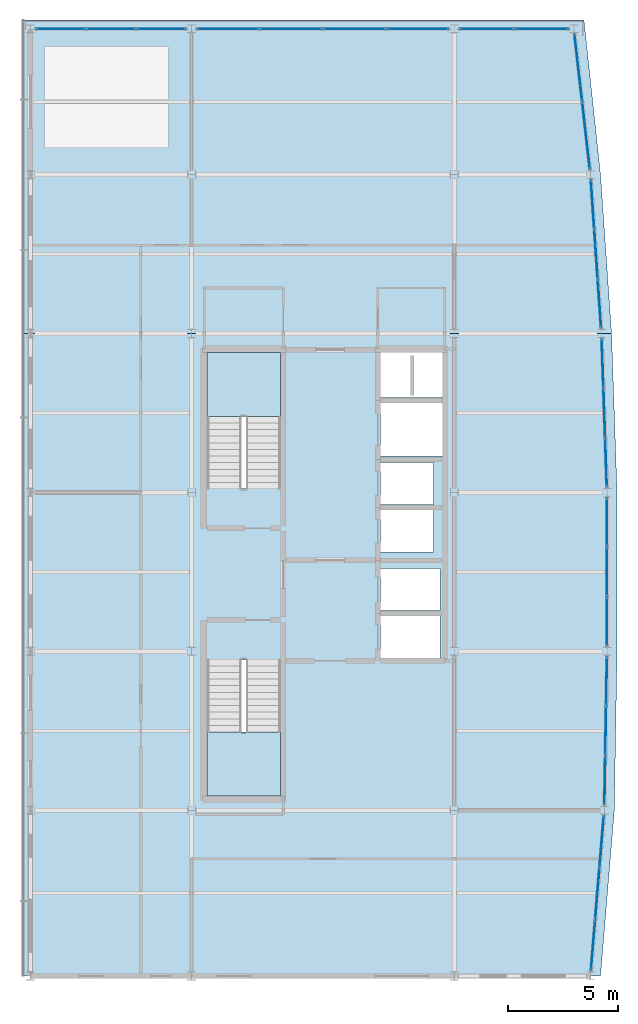
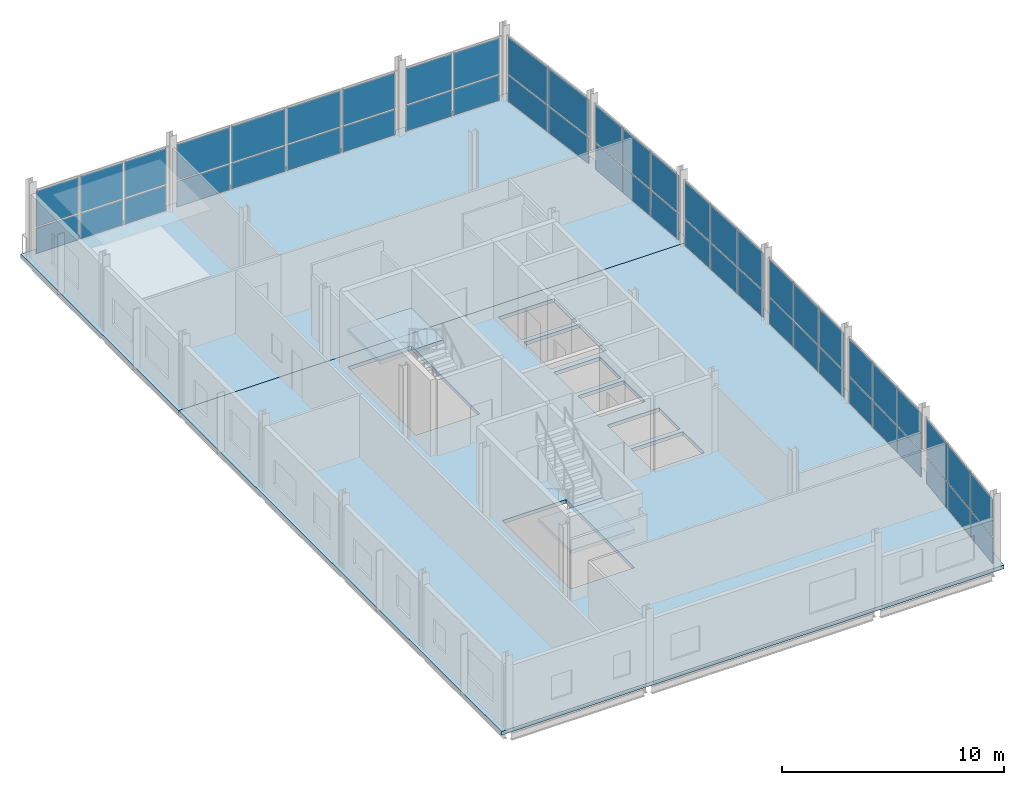
# One storey, part 10 of 16: 52 plates, 4 slabs, 11 elements without a shape of their own.
"""IFC4 building model written with IfcOpenShell, lengths in metres."""

from ifc_helpers import new_model, si_unit, direction, frame, origin, origin_2d, place, context, subcontext, project, spatial, polyline, rectangle, outline, extrude, material, layer, layer_set, type_object, element, aggregate, save


model = new_model("IFC4")

# Units and contexts
model_context = context("Model", 3, precision=1e-05, world=origin(), true_north=direction((0.0, 1.0)))
body_context = subcontext(model_context, "Body", "Model", "MODEL_VIEW")
ifc_project = project(units=[si_unit("LENGTHUNIT", "METRE"), si_unit("AREAUNIT", "SQUARE_METRE"), si_unit("VOLUMEUNIT", "CUBIC_METRE"), si_unit("PLANEANGLEUNIT", "RADIAN"), si_unit("MASSUNIT", "GRAM", prefix="KILO")], contexts=[model_context])

# Site, building, storey
site_placement = place(None, origin())
site = spatial("IfcSite", under=ifc_project, at=site_placement, CompositionType="ELEMENT")
building_placement = place(site_placement, origin())
building = spatial("IfcBuilding", under=site, at=building_placement, Name="Quillay Park Conservatory", CompositionType="ELEMENT")
storey_placement = place(building_placement, frame((0.0, 0.0, 43.5)))
storey = spatial("IfcBuildingStorey", under=building, at=storey_placement, Name="L10", CompositionType="ELEMENT", Elevation=43.5)

# Curtain wall, plates
ifc_material_1 = material(Name="Thermally Broken Anodised Aluminium 6063-T6", Category="aluminium")
ifc_layer_1 = layer(ifc_material_1, 0.179931640625)
ifc_layer_set_1 = layer_set([ifc_layer_1], Name="UNITISED CURTAIN WALL TOWER (Thermally Broken Anodised Aluminium 6063-T6)")
curtain_wall_type = type_object("IfcCurtainWallType", Name="UNITISED CURTAIN WALL TOWER", PredefinedType="USERDEFINED", material=ifc_layer_set_1)
curtain_wall_1_placement = place(storey_placement, origin())
curtain_wall_1 = element("IfcCurtainWall", 1, at=curtain_wall_1_placement, inside=storey, type_object=curtain_wall_type, Name="L10 Unitised Curtain Wall 096", ObjectType="UNITISED CURTAIN WALL", PredefinedType="USERDEFINED")
ifc_material_2 = material(Name="Low-E Double Glazing (Laminated Tempered)", Category="glass")
ifc_layer_2 = layer(ifc_material_2, 0.028076171875)
ifc_layer_set_2 = layer_set([ifc_layer_2], Name="CURTAIN WALL GLAZED PANEL 28 (Low-E Double Glazing (Laminated Tempered))")
plate_type = type_object("IfcPlateType", Name="CURTAIN WALL GLAZED PANEL 28", PredefinedType="CURTAIN_PANEL", material=ifc_layer_set_2)
plate_1_placement = place(storey_placement, frame((26.433349609375, 76.599609375, 0.06982421875), z_axis=(0.0, 0.0, 1.0), x_axis=(-0.083047802572, -0.996545564682, 0.0)))
plate_1 = element("IfcPlate", 2, at=plate_1_placement, type_object=plate_type, Name="CW-T1 panel 1.1", PredefinedType="CURTAIN_PANEL", context=body_context, shape_type="SweptSolid", body=[
    extrude(rectangle(XDim=2.270263671875, YDim=0.028076171875, at=origin_2d()), origin(), (0.0, 0.0, 1.0), 1.439208984375),
])
plate_2_placement = place(storey_placement, frame((26.433349609375, 76.599609375, 1.57958984375), z_axis=(0.0, 0.0, 1.0), x_axis=(-0.083047802572, -0.996545564682, 0.0)))
plate_2 = element("IfcPlate", 3, at=plate_2_placement, type_object=plate_type, Name="CW-T1 panel 1.2", PredefinedType="CURTAIN_PANEL", context=body_context, shape_type="SweptSolid", body=[
    extrude(rectangle(XDim=2.270263671875, YDim=0.028076171875, at=origin_2d()), origin(), (0.0, 0.0, 1.0), 2.027587890625),
])
plate_3_placement = place(storey_placement, frame((26.237548828125, 74.25, 0.06982421875), z_axis=(0.0, 0.0, 1.0), x_axis=(-0.083047802572, -0.996545564682, 0.0)))
plate_3 = element("IfcPlate", 4, at=plate_3_placement, type_object=plate_type, Name="CW-T1 panel 2.1", PredefinedType="CURTAIN_PANEL", context=body_context, shape_type="SweptSolid", body=[
    extrude(rectangle(XDim=2.305419921875, YDim=0.028076171875, at=origin_2d()), origin(), (0.0, 0.0, 1.0), 1.439208984375),
])
plate_4_placement = place(storey_placement, frame((26.237548828125, 74.25, 1.57958984375), z_axis=(0.0, 0.0, 1.0), x_axis=(-0.083047802572, -0.996545564682, 0.0)))
plate_4 = element("IfcPlate", 5, at=plate_4_placement, type_object=plate_type, Name="CW-T1 panel 2.2", PredefinedType="CURTAIN_PANEL", context=body_context, shape_type="SweptSolid", body=[
    extrude(rectangle(XDim=2.305419921875, YDim=0.028076171875, at=origin_2d()), origin(), (0.0, 0.0, 1.0), 2.027587890625),
])
plate_5_placement = place(storey_placement, frame((26.041748046875, 71.900390625, 0.06982421875), z_axis=(0.0, 0.0, 1.0), x_axis=(-0.083047802572, -0.996545564682, 0.0)))
plate_5 = element("IfcPlate", 6, at=plate_5_placement, type_object=plate_type, Name="CW-T1 panel 3.1", PredefinedType="CURTAIN_PANEL", context=body_context, shape_type="SweptSolid", body=[
    extrude(rectangle(XDim=2.270263671875, YDim=0.028076171875, at=origin_2d()), origin(), (0.0, 0.0, 1.0), 1.439208984375),
])
plate_6_placement = place(storey_placement, frame((26.041748046875, 71.900390625, 1.57958984375), z_axis=(0.0, 0.0, 1.0), x_axis=(-0.083047802572, -0.996545564682, 0.0)))
plate_6 = element("IfcPlate", 7, at=plate_6_placement, type_object=plate_type, Name="CW-T1 panel 3.2", PredefinedType="CURTAIN_PANEL", context=body_context, shape_type="SweptSolid", body=[
    extrude(rectangle(XDim=2.270263671875, YDim=0.028076171875, at=origin_2d()), origin(), (0.0, 0.0, 1.0), 2.027587890625),
])
aggregate(curtain_wall_1, [plate_1, plate_2, plate_3, plate_4, plate_5, plate_6])

curtain_wall_2_placement = place(storey_placement, origin())
curtain_wall_2 = element("IfcCurtainWall", 8, at=curtain_wall_2_placement, inside=storey, type_object=curtain_wall_type, Name="L10 Unitised Curtain Wall 097", ObjectType="UNITISED CURTAIN WALL", PredefinedType="USERDEFINED")
plate_7_placement = place(storey_placement, frame((26.651611328125, 83.84912109375, 0.06982421875), z_axis=(0.0, 0.0, 1.0), x_axis=(-0.017350329071, -0.999849471711, 0.0)))
plate_7 = element("IfcPlate", 9, at=plate_7_placement, type_object=plate_type, Name="CW-T1 panel 1.1", PredefinedType="CURTAIN_PANEL", context=body_context, shape_type="SweptSolid", body=[
    extrude(rectangle(XDim=2.162109375, YDim=0.028076171875, at=origin_2d()), origin(), (0.0, 0.0, 1.0), 1.439208984375),
])
plate_8_placement = place(storey_placement, frame((26.651611328125, 83.84912109375, 1.57958984375), z_axis=(0.0, 0.0, 1.0), x_axis=(-0.017350329071, -0.999849471711, 0.0)))
plate_8 = element("IfcPlate", 10, at=plate_8_placement, type_object=plate_type, Name="CW-T1 panel 1.2", PredefinedType="CURTAIN_PANEL", context=body_context, shape_type="SweptSolid", body=[
    extrude(rectangle(XDim=2.162109375, YDim=0.028076171875, at=origin_2d()), origin(), (0.0, 0.0, 1.0), 2.027587890625),
])
plate_9_placement = place(storey_placement, frame((26.612548828125, 81.60009765625, 0.06982421875), z_axis=(0.0, 0.0, 1.0), x_axis=(-0.017350329071, -0.999849471711, 0.0)))
plate_9 = element("IfcPlate", 11, at=plate_9_placement, type_object=plate_type, Name="CW-T1 panel 2.1", PredefinedType="CURTAIN_PANEL", context=body_context, shape_type="SweptSolid", body=[
    extrude(rectangle(XDim=2.197021484375, YDim=0.028076171875, at=origin_2d()), origin(), (0.0, 0.0, 1.0), 1.439208984375),
])
plate_10_placement = place(storey_placement, frame((26.612548828125, 81.60009765625, 1.57958984375), z_axis=(0.0, 0.0, 1.0), x_axis=(-0.017350329071, -0.999849471711, 0.0)))
plate_10 = element("IfcPlate", 12, at=plate_10_placement, type_object=plate_type, Name="CW-T1 panel 2.2", PredefinedType="CURTAIN_PANEL", context=body_context, shape_type="SweptSolid", body=[
    extrude(rectangle(XDim=2.197021484375, YDim=0.028076171875, at=origin_2d()), origin(), (0.0, 0.0, 1.0), 2.027587890625),
])
plate_11_placement = place(storey_placement, frame((26.573486328125, 79.350830078125, 0.06982421875), z_axis=(0.0, 0.0, 1.0), x_axis=(-0.017350329071, -0.999849471711, 0.0)))
plate_11 = element("IfcPlate", 13, at=plate_11_placement, type_object=plate_type, Name="CW-T1 panel 3.1", PredefinedType="CURTAIN_PANEL", context=body_context, shape_type="SweptSolid", body=[
    extrude(rectangle(XDim=2.162109375, YDim=0.028076171875, at=origin_2d()), origin(), (0.0, 0.0, 1.0), 1.439208984375),
])
plate_12_placement = place(storey_placement, frame((26.573486328125, 79.350830078125, 1.57958984375), z_axis=(0.0, 0.0, 1.0), x_axis=(-0.017350329071, -0.999849471711, 0.0)))
plate_12 = element("IfcPlate", 14, at=plate_12_placement, type_object=plate_type, Name="CW-T1 panel 3.2", PredefinedType="CURTAIN_PANEL", context=body_context, shape_type="SweptSolid", body=[
    extrude(rectangle(XDim=2.162109375, YDim=0.028076171875, at=origin_2d()), origin(), (0.0, 0.0, 1.0), 2.027587890625),
])
aggregate(curtain_wall_2, [plate_7, plate_8, plate_9, plate_10, plate_11, plate_12])

curtain_wall_3_placement = place(storey_placement, origin())
curtain_wall_3 = element("IfcCurtainWall", 15, at=curtain_wall_3_placement, inside=storey, type_object=curtain_wall_type, Name="L10 Unitised Curtain Wall 098", ObjectType="UNITISED CURTAIN WALL", PredefinedType="USERDEFINED")
plate_13_placement = place(storey_placement, frame((26.675048828125, 91.049072265625, 0.06982421875), z_axis=(0.0, 0.0, 1.0), x_axis=(0.0, -1.0, 0.0)))
plate_13 = element("IfcPlate", 16, at=plate_13_placement, type_object=plate_type, Name="CW-T1 panel 1.1", PredefinedType="CURTAIN_PANEL", context=body_context, shape_type="SweptSolid", body=[
    extrude(rectangle(XDim=2.16162109375, YDim=0.028076171875, at=origin_2d()), origin(), (0.0, 0.0, 1.0), 1.439208984375),
])
plate_14_placement = place(storey_placement, frame((26.675048828125, 91.049072265625, 1.57958984375), z_axis=(0.0, 0.0, 1.0), x_axis=(0.0, -1.0, 0.0)))
plate_14 = element("IfcPlate", 17, at=plate_14_placement, type_object=plate_type, Name="CW-T1 panel 1.2", PredefinedType="CURTAIN_PANEL", context=body_context, shape_type="SweptSolid", body=[
    extrude(rectangle(XDim=2.16162109375, YDim=0.028076171875, at=origin_2d()), origin(), (0.0, 0.0, 1.0), 2.027587890625),
])
plate_15_placement = place(storey_placement, frame((26.675048828125, 88.800048828125, 0.06982421875), z_axis=(0.0, 0.0, 1.0), x_axis=(0.0, -1.0, 0.0)))
plate_15 = element("IfcPlate", 18, at=plate_15_placement, type_object=plate_type, Name="CW-T1 panel 2.1", PredefinedType="CURTAIN_PANEL", context=body_context, shape_type="SweptSolid", body=[
    extrude(rectangle(XDim=2.19677734375, YDim=0.028076171875, at=origin_2d()), origin(), (0.0, 0.0, 1.0), 1.439208984375),
])
plate_16_placement = place(storey_placement, frame((26.675048828125, 88.800048828125, 1.57958984375), z_axis=(0.0, 0.0, 1.0), x_axis=(0.0, -1.0, 0.0)))
plate_16 = element("IfcPlate", 19, at=plate_16_placement, type_object=plate_type, Name="CW-T1 panel 2.2", PredefinedType="CURTAIN_PANEL", context=body_context, shape_type="SweptSolid", body=[
    extrude(rectangle(XDim=2.19677734375, YDim=0.028076171875, at=origin_2d()), origin(), (0.0, 0.0, 1.0), 2.027587890625),
])
plate_17_placement = place(storey_placement, frame((26.675048828125, 86.55078125, 0.06982421875), z_axis=(0.0, 0.0, 1.0), x_axis=(0.0, -1.0, 0.0)))
plate_17 = element("IfcPlate", 20, at=plate_17_placement, type_object=plate_type, Name="CW-T1 panel 3.1", PredefinedType="CURTAIN_PANEL", context=body_context, shape_type="SweptSolid", body=[
    extrude(rectangle(XDim=2.16162109375, YDim=0.028076171875, at=origin_2d()), origin(), (0.0, 0.0, 1.0), 1.439208984375),
])
plate_18_placement = place(storey_placement, frame((26.675048828125, 86.55078125, 1.57958984375), z_axis=(0.0, 0.0, 1.0), x_axis=(0.0, -1.0, 0.0)))
plate_18 = element("IfcPlate", 21, at=plate_18_placement, type_object=plate_type, Name="CW-T1 panel 3.2", PredefinedType="CURTAIN_PANEL", context=body_context, shape_type="SweptSolid", body=[
    extrude(rectangle(XDim=2.16162109375, YDim=0.028076171875, at=origin_2d()), origin(), (0.0, 0.0, 1.0), 2.027587890625),
])
aggregate(curtain_wall_3, [plate_13, plate_14, plate_15, plate_16, plate_17, plate_18])

curtain_wall_4_placement = place(storey_placement, origin())
curtain_wall_4 = element("IfcCurtainWall", 22, at=curtain_wall_4_placement, inside=storey, type_object=curtain_wall_type, Name="L10 Unitised Curtain Wall 099", ObjectType="UNITISED CURTAIN WALL", PredefinedType="USERDEFINED")
plate_19_placement = place(storey_placement, frame((26.471923828125, 98.249267578125, 0.06982421875), z_axis=(0.0, 0.0, 1.0), x_axis=(0.034713338537, -0.999397310446, 0.0)))
plate_19 = element("IfcPlate", 23, at=plate_19_placement, type_object=plate_type, Name="CW-T1 panel 1.1", PredefinedType="CURTAIN_PANEL", context=body_context, shape_type="SweptSolid", body=[
    extrude(rectangle(XDim=2.1630859375, YDim=0.028076171875, at=origin_2d()), origin(), (0.0, 0.0, 1.0), 1.439208984375),
])
plate_20_placement = place(storey_placement, frame((26.471923828125, 98.249267578125, 1.57958984375), z_axis=(0.0, 0.0, 1.0), x_axis=(0.034713338537, -0.999397310446, 0.0)))
plate_20 = element("IfcPlate", 24, at=plate_20_placement, type_object=plate_type, Name="CW-T1 panel 1.2", PredefinedType="CURTAIN_PANEL", context=body_context, shape_type="SweptSolid", body=[
    extrude(rectangle(XDim=2.1630859375, YDim=0.028076171875, at=origin_2d()), origin(), (0.0, 0.0, 1.0), 2.027587890625),
])
plate_21_placement = place(storey_placement, frame((26.550048828125, 96.0, 0.06982421875), z_axis=(0.0, 0.0, 1.0), x_axis=(0.034713338537, -0.999397310446, 0.0)))
plate_21 = element("IfcPlate", 25, at=plate_21_placement, type_object=plate_type, Name="CW-T1 panel 2.1", PredefinedType="CURTAIN_PANEL", context=body_context, shape_type="SweptSolid", body=[
    extrude(rectangle(XDim=2.197998046875, YDim=0.028076171875, at=origin_2d()), origin(), (0.0, 0.0, 1.0), 1.439208984375),
])
plate_22_placement = place(storey_placement, frame((26.550048828125, 96.0, 1.57958984375), z_axis=(0.0, 0.0, 1.0), x_axis=(0.034713338537, -0.999397310446, 0.0)))
plate_22 = element("IfcPlate", 26, at=plate_22_placement, type_object=plate_type, Name="CW-T1 panel 2.2", PredefinedType="CURTAIN_PANEL", context=body_context, shape_type="SweptSolid", body=[
    extrude(rectangle(XDim=2.197998046875, YDim=0.028076171875, at=origin_2d()), origin(), (0.0, 0.0, 1.0), 2.027587890625),
])
plate_23_placement = place(storey_placement, frame((26.628173828125, 93.750732421875, 0.06982421875), z_axis=(0.0, 0.0, 1.0), x_axis=(0.034713338537, -0.999397310446, 0.0)))
plate_23 = element("IfcPlate", 27, at=plate_23_placement, type_object=plate_type, Name="CW-T1 panel 3.1", PredefinedType="CURTAIN_PANEL", context=body_context, shape_type="SweptSolid", body=[
    extrude(rectangle(XDim=2.1630859375, YDim=0.028076171875, at=origin_2d()), origin(), (0.0, 0.0, 1.0), 1.439208984375),
])
plate_24_placement = place(storey_placement, frame((26.628173828125, 93.750732421875, 1.57958984375), z_axis=(0.0, 0.0, 1.0), x_axis=(0.034713338537, -0.999397310446, 0.0)))
plate_24 = element("IfcPlate", 28, at=plate_24_placement, type_object=plate_type, Name="CW-T1 panel 3.2", PredefinedType="CURTAIN_PANEL", context=body_context, shape_type="SweptSolid", body=[
    extrude(rectangle(XDim=2.1630859375, YDim=0.028076171875, at=origin_2d()), origin(), (0.0, 0.0, 1.0), 2.027587890625),
])
aggregate(curtain_wall_4, [plate_19, plate_20, plate_21, plate_22, plate_23, plate_24])

curtain_wall_5_placement = place(storey_placement, origin())
curtain_wall_5 = element("IfcCurtainWall", 29, at=curtain_wall_5_placement, inside=storey, type_object=curtain_wall_type, Name="L10 Unitised Curtain Wall 100", ObjectType="UNITISED CURTAIN WALL", PredefinedType="USERDEFINED")
plate_25_placement = place(storey_placement, frame((26.018798828125, 105.449462890625, 0.06982421875), z_axis=(0.0, 0.0, 1.0), x_axis=(0.069264217159, -0.99759835015, 0.0)))
plate_25 = element("IfcPlate", 30, at=plate_25_placement, type_object=plate_type, Name="CW-T1 panel 1.1", PredefinedType="CURTAIN_PANEL", context=body_context, shape_type="SweptSolid", body=[
    extrude(rectangle(XDim=2.16748046875, YDim=0.028076171875, at=origin_2d()), origin(), (0.0, 0.0, 1.0), 1.439208984375),
])
plate_26_placement = place(storey_placement, frame((26.018798828125, 105.449462890625, 1.57958984375), z_axis=(0.0, 0.0, 1.0), x_axis=(0.069264217159, -0.99759835015, 0.0)))
plate_26 = element("IfcPlate", 31, at=plate_26_placement, type_object=plate_type, Name="CW-T1 panel 1.2", PredefinedType="CURTAIN_PANEL", context=body_context, shape_type="SweptSolid", body=[
    extrude(rectangle(XDim=2.16748046875, YDim=0.028076171875, at=origin_2d()), origin(), (0.0, 0.0, 1.0), 2.027587890625),
])
plate_27_placement = place(storey_placement, frame((26.175048828125, 103.199951171875, 0.06982421875), z_axis=(0.0, 0.0, 1.0), x_axis=(0.069264217159, -0.99759835015, 0.0)))
plate_27 = element("IfcPlate", 32, at=plate_27_placement, type_object=plate_type, Name="CW-T1 panel 2.1", PredefinedType="CURTAIN_PANEL", context=body_context, shape_type="SweptSolid", body=[
    extrude(rectangle(XDim=2.202392578125, YDim=0.028076171875, at=origin_2d()), origin(), (0.0, 0.0, 1.0), 1.439208984375),
])
plate_28_placement = place(storey_placement, frame((26.175048828125, 103.199951171875, 1.57958984375), z_axis=(0.0, 0.0, 1.0), x_axis=(0.069264217159, -0.99759835015, 0.0)))
plate_28 = element("IfcPlate", 33, at=plate_28_placement, type_object=plate_type, Name="CW-T1 panel 2.2", PredefinedType="CURTAIN_PANEL", context=body_context, shape_type="SweptSolid", body=[
    extrude(rectangle(XDim=2.202392578125, YDim=0.028076171875, at=origin_2d()), origin(), (0.0, 0.0, 1.0), 2.027587890625),
])
plate_29_placement = place(storey_placement, frame((26.331298828125, 100.950439453125, 0.06982421875), z_axis=(0.0, 0.0, 1.0), x_axis=(0.069264217159, -0.99759835015, 0.0)))
plate_29 = element("IfcPlate", 34, at=plate_29_placement, type_object=plate_type, Name="CW-T1 panel 3.1", PredefinedType="CURTAIN_PANEL", context=body_context, shape_type="SweptSolid", body=[
    extrude(rectangle(XDim=2.16748046875, YDim=0.028076171875, at=origin_2d()), origin(), (0.0, 0.0, 1.0), 1.439208984375),
])
plate_30_placement = place(storey_placement, frame((26.331298828125, 100.950439453125, 1.57958984375), z_axis=(0.0, 0.0, 1.0), x_axis=(0.069264217159, -0.99759835015, 0.0)))
plate_30 = element("IfcPlate", 35, at=plate_30_placement, type_object=plate_type, Name="CW-T1 panel 3.2", PredefinedType="CURTAIN_PANEL", context=body_context, shape_type="SweptSolid", body=[
    extrude(rectangle(XDim=2.16748046875, YDim=0.028076171875, at=origin_2d()), origin(), (0.0, 0.0, 1.0), 2.027587890625),
])
aggregate(curtain_wall_5, [plate_25, plate_26, plate_27, plate_28, plate_29, plate_30])

curtain_wall_6_placement = place(storey_placement, origin())
curtain_wall_6 = element("IfcCurtainWall", 36, at=curtain_wall_6_placement, inside=storey, type_object=curtain_wall_type, Name="L10 Unitised Curtain Wall 101", ObjectType="UNITISED CURTAIN WALL", PredefinedType="USERDEFINED")
plate_31_placement = place(storey_placement, frame((25.375732421875, 111.63330078125, 0.06982421875), z_axis=(0.0, 0.0, 1.0), x_axis=(0.112903218278, -0.993605989969, 0.0)))
plate_31 = element("IfcPlate", 37, at=plate_31_placement, type_object=plate_type, Name="CW-T1 panel 1.1", PredefinedType="CURTAIN_PANEL", context=body_context, shape_type="SweptSolid", body=[
    extrude(rectangle(XDim=3.016357421875, YDim=0.028076171875, at=origin_2d()), origin(), (0.0, 0.0, 1.0), 1.439208984375),
])
plate_32_placement = place(storey_placement, frame((25.375732421875, 111.63330078125, 1.57958984375), z_axis=(0.0, 0.0, 1.0), x_axis=(0.112903218278, -0.993605989969, 0.0)))
plate_32 = element("IfcPlate", 38, at=plate_32_placement, type_object=plate_type, Name="CW-T1 panel 1.2", PredefinedType="CURTAIN_PANEL", context=body_context, shape_type="SweptSolid", body=[
    extrude(rectangle(XDim=3.016357421875, YDim=0.028076171875, at=origin_2d()), origin(), (0.0, 0.0, 1.0), 2.027587890625),
])
plate_33_placement = place(storey_placement, frame((25.72412109375, 108.566650390625, 0.06982421875), z_axis=(0.0, 0.0, 1.0), x_axis=(0.112903218278, -0.993605989969, 0.0)))
plate_33 = element("IfcPlate", 39, at=plate_33_placement, type_object=plate_type, Name="CW-T1 panel 2.1", PredefinedType="CURTAIN_PANEL", context=body_context, shape_type="SweptSolid", body=[
    extrude(rectangle(XDim=3.016357421875, YDim=0.028076171875, at=origin_2d()), origin(), (0.0, 0.0, 1.0), 1.439208984375),
])
plate_34_placement = place(storey_placement, frame((25.72412109375, 108.566650390625, 1.57958984375), z_axis=(0.0, 0.0, 1.0), x_axis=(0.112903218278, -0.993605989969, 0.0)))
plate_34 = element("IfcPlate", 40, at=plate_34_placement, type_object=plate_type, Name="CW-T1 panel 2.2", PredefinedType="CURTAIN_PANEL", context=body_context, shape_type="SweptSolid", body=[
    extrude(rectangle(XDim=3.016357421875, YDim=0.028076171875, at=origin_2d()), origin(), (0.0, 0.0, 1.0), 2.027587890625),
])
aggregate(curtain_wall_6, [plate_31, plate_32, plate_33, plate_34])

curtain_wall_7_placement = place(storey_placement, origin())
curtain_wall_7 = element("IfcCurtainWall", 41, at=curtain_wall_7_placement, inside=storey, type_object=curtain_wall_type, Name="L10 Unitised Curtain Wall 102", ObjectType="UNITISED CURTAIN WALL", PredefinedType="USERDEFINED")
plate_35_placement = place(storey_placement, frame((1.91748046875, 113.39990234375, 0.06982421875), z_axis=(0.0, 0.0, 1.0), x_axis=(1.0, 0.0, 0.0)))
plate_35 = element("IfcPlate", 42, at=plate_35_placement, type_object=plate_type, Name="CW-T1 panel 1.1", PredefinedType="CURTAIN_PANEL", context=body_context, shape_type="SweptSolid", body=[
    extrude(rectangle(XDim=2.195068359375, YDim=0.028076171875, at=origin_2d()), origin(), (0.0, 0.0, 1.0), 1.391845703125),
])
plate_36_placement = place(storey_placement, frame((1.91748046875, 113.39990234375, 1.53173828125), z_axis=(0.0, 0.0, 1.0), x_axis=(1.0, 0.0, 0.0)))
plate_36 = element("IfcPlate", 43, at=plate_36_placement, type_object=plate_type, Name="CW-T1 panel 1.2", PredefinedType="CURTAIN_PANEL", context=body_context, shape_type="SweptSolid", body=[
    extrude(rectangle(XDim=2.195068359375, YDim=0.028076171875, at=origin_2d()), origin(), (0.0, 0.0, 1.0), 1.962158203125),
])
plate_37_placement = place(storey_placement, frame((4.199951171875, 113.39990234375, 0.06982421875), z_axis=(0.0, 0.0, 1.0), x_axis=(1.0, 0.0, 0.0)))
plate_37 = element("IfcPlate", 44, at=plate_37_placement, type_object=plate_type, Name="CW-T1 panel 2.1", PredefinedType="CURTAIN_PANEL", context=body_context, shape_type="SweptSolid", body=[
    extrude(rectangle(XDim=2.22998046875, YDim=0.028076171875, at=origin_2d()), origin(), (0.0, 0.0, 1.0), 1.391845703125),
])
plate_38_placement = place(storey_placement, frame((4.199951171875, 113.39990234375, 1.53173828125), z_axis=(0.0, 0.0, 1.0), x_axis=(1.0, 0.0, 0.0)))
plate_38 = element("IfcPlate", 45, at=plate_38_placement, type_object=plate_type, Name="CW-T1 panel 2.2", PredefinedType="CURTAIN_PANEL", context=body_context, shape_type="SweptSolid", body=[
    extrude(rectangle(XDim=2.22998046875, YDim=0.028076171875, at=origin_2d()), origin(), (0.0, 0.0, 1.0), 1.962158203125),
])
plate_39_placement = place(storey_placement, frame((6.482421875, 113.39990234375, 0.06982421875), z_axis=(0.0, 0.0, 1.0), x_axis=(1.0, 0.0, 0.0)))
plate_39 = element("IfcPlate", 46, at=plate_39_placement, type_object=plate_type, Name="CW-T1 panel 3.1", PredefinedType="CURTAIN_PANEL", context=body_context, shape_type="SweptSolid", body=[
    extrude(rectangle(XDim=2.195068359375, YDim=0.028076171875, at=origin_2d()), origin(), (0.0, 0.0, 1.0), 1.391845703125),
])
plate_40_placement = place(storey_placement, frame((6.482421875, 113.39990234375, 1.53173828125), z_axis=(0.0, 0.0, 1.0), x_axis=(1.0, 0.0, 0.0)))
plate_40 = element("IfcPlate", 47, at=plate_40_placement, type_object=plate_type, Name="CW-T1 panel 3.2", PredefinedType="CURTAIN_PANEL", context=body_context, shape_type="SweptSolid", body=[
    extrude(rectangle(XDim=2.195068359375, YDim=0.028076171875, at=origin_2d()), origin(), (0.0, 0.0, 1.0), 1.962158203125),
])
aggregate(curtain_wall_7, [plate_35, plate_36, plate_37, plate_38, plate_39, plate_40])

curtain_wall_8_placement = place(storey_placement, origin())
curtain_wall_8 = element("IfcCurtainWall", 48, at=curtain_wall_8_placement, inside=storey, type_object=curtain_wall_type, Name="L10 Unitised Curtain Wall 103", ObjectType="UNITISED CURTAIN WALL", PredefinedType="USERDEFINED")
plate_41_placement = place(storey_placement, frame((9.5048828125, 113.39990234375, 0.06982421875), z_axis=(0.0, 0.0, 1.0), x_axis=(1.0, 0.0, 0.0)))
plate_41 = element("IfcPlate", 49, at=plate_41_placement, type_object=plate_type, Name="CW-T1 panel 1.1", PredefinedType="CURTAIN_PANEL", context=body_context, shape_type="SweptSolid", body=[
    extrude(rectangle(XDim=2.77001953125, YDim=0.028076171875, at=origin_2d()), origin(), (0.0, 0.0, 1.0), 1.391845703125),
])
plate_42_placement = place(storey_placement, frame((9.5048828125, 113.39990234375, 1.53173828125), z_axis=(0.0, 0.0, 1.0), x_axis=(1.0, 0.0, 0.0)))
plate_42 = element("IfcPlate", 50, at=plate_42_placement, type_object=plate_type, Name="CW-T1 panel 1.2", PredefinedType="CURTAIN_PANEL", context=body_context, shape_type="SweptSolid", body=[
    extrude(rectangle(XDim=2.77001953125, YDim=0.028076171875, at=origin_2d()), origin(), (0.0, 0.0, 1.0), 1.962158203125),
])
plate_43_placement = place(storey_placement, frame((12.362548828125, 113.39990234375, 0.06982421875), z_axis=(0.0, 0.0, 1.0), x_axis=(1.0, 0.0, 0.0)))
plate_43 = element("IfcPlate", 51, at=plate_43_placement, type_object=plate_type, Name="CW-T1 panel 2.1", PredefinedType="CURTAIN_PANEL", context=body_context, shape_type="SweptSolid", body=[
    extrude(rectangle(XDim=2.804931640625, YDim=0.028076171875, at=origin_2d()), origin(), (0.0, 0.0, 1.0), 1.391845703125),
])
plate_44_placement = place(storey_placement, frame((12.362548828125, 113.39990234375, 1.53173828125), z_axis=(0.0, 0.0, 1.0), x_axis=(1.0, 0.0, 0.0)))
plate_44 = element("IfcPlate", 52, at=plate_44_placement, type_object=plate_type, Name="CW-T1 panel 2.2", PredefinedType="CURTAIN_PANEL", context=body_context, shape_type="SweptSolid", body=[
    extrude(rectangle(XDim=2.804931640625, YDim=0.028076171875, at=origin_2d()), origin(), (0.0, 0.0, 1.0), 1.962158203125),
])
plate_45_placement = place(storey_placement, frame((15.237548828125, 113.39990234375, 0.06982421875), z_axis=(0.0, 0.0, 1.0), x_axis=(1.0, 0.0, 0.0)))
plate_45 = element("IfcPlate", 53, at=plate_45_placement, type_object=plate_type, Name="CW-T1 panel 3.1", PredefinedType="CURTAIN_PANEL", context=body_context, shape_type="SweptSolid", body=[
    extrude(rectangle(XDim=2.804931640625, YDim=0.028076171875, at=origin_2d()), origin(), (0.0, 0.0, 1.0), 1.391845703125),
])
plate_46_placement = place(storey_placement, frame((15.237548828125, 113.39990234375, 1.53173828125), z_axis=(0.0, 0.0, 1.0), x_axis=(1.0, 0.0, 0.0)))
plate_46 = element("IfcPlate", 54, at=plate_46_placement, type_object=plate_type, Name="CW-T1 panel 3.2", PredefinedType="CURTAIN_PANEL", context=body_context, shape_type="SweptSolid", body=[
    extrude(rectangle(XDim=2.804931640625, YDim=0.028076171875, at=origin_2d()), origin(), (0.0, 0.0, 1.0), 1.962158203125),
])
plate_47_placement = place(storey_placement, frame((18.094970703125, 113.39990234375, 0.06982421875), z_axis=(0.0, 0.0, 1.0), x_axis=(1.0, 0.0, 0.0)))
plate_47 = element("IfcPlate", 55, at=plate_47_placement, type_object=plate_type, Name="CW-T1 panel 4.1", PredefinedType="CURTAIN_PANEL", context=body_context, shape_type="SweptSolid", body=[
    extrude(rectangle(XDim=2.77001953125, YDim=0.028076171875, at=origin_2d()), origin(), (0.0, 0.0, 1.0), 1.391845703125),
])
plate_48_placement = place(storey_placement, frame((18.094970703125, 113.39990234375, 1.53173828125), z_axis=(0.0, 0.0, 1.0), x_axis=(1.0, 0.0, 0.0)))
plate_48 = element("IfcPlate", 56, at=plate_48_placement, type_object=plate_type, Name="CW-T1 panel 4.2", PredefinedType="CURTAIN_PANEL", context=body_context, shape_type="SweptSolid", body=[
    extrude(rectangle(XDim=2.77001953125, YDim=0.028076171875, at=origin_2d()), origin(), (0.0, 0.0, 1.0), 1.962158203125),
])
aggregate(curtain_wall_8, [plate_41, plate_42, plate_43, plate_44, plate_45, plate_46, plate_47, plate_48])

curtain_wall_9_placement = place(storey_placement, origin())
curtain_wall_9 = element("IfcCurtainWall", 57, at=curtain_wall_9_placement, inside=storey, type_object=curtain_wall_type, Name="L10 Unitised Curtain Wall 104", ObjectType="UNITISED CURTAIN WALL", PredefinedType="USERDEFINED")
plate_49_placement = place(storey_placement, frame((21.2236328125, 113.39990234375, 0.06982421875), z_axis=(0.0, 0.0, 1.0), x_axis=(1.0, 0.0, 0.0)))
plate_49 = element("IfcPlate", 58, at=plate_49_placement, type_object=plate_type, Name="CW-T1 panel 1.1", PredefinedType="CURTAIN_PANEL", context=body_context, shape_type="SweptSolid", body=[
    extrude(rectangle(XDim=2.407470703125, YDim=0.028076171875, at=origin_2d()), origin(), (0.0, 0.0, 1.0), 1.391845703125),
])
plate_50_placement = place(storey_placement, frame((21.2236328125, 113.39990234375, 1.53173828125), z_axis=(0.0, 0.0, 1.0), x_axis=(1.0, 0.0, 0.0)))
plate_50 = element("IfcPlate", 59, at=plate_50_placement, type_object=plate_type, Name="CW-T1 panel 1.2", PredefinedType="CURTAIN_PANEL", context=body_context, shape_type="SweptSolid", body=[
    extrude(rectangle(XDim=2.407470703125, YDim=0.028076171875, at=origin_2d()), origin(), (0.0, 0.0, 1.0), 1.962158203125),
])
plate_51_placement = place(storey_placement, frame((23.701171875, 113.39990234375, 0.06982421875), z_axis=(0.0, 0.0, 1.0), x_axis=(1.0, 0.0, 0.0)))
plate_51 = element("IfcPlate", 60, at=plate_51_placement, type_object=plate_type, Name="CW-T1 panel 2.1", PredefinedType="CURTAIN_PANEL", context=body_context, shape_type="SweptSolid", body=[
    extrude(rectangle(XDim=2.407470703125, YDim=0.028076171875, at=origin_2d()), origin(), (0.0, 0.0, 1.0), 1.391845703125),
])
plate_52_placement = place(storey_placement, frame((23.701171875, 113.39990234375, 1.53173828125), z_axis=(0.0, 0.0, 1.0), x_axis=(1.0, 0.0, 0.0)))
plate_52 = element("IfcPlate", 61, at=plate_52_placement, type_object=plate_type, Name="CW-T1 panel 2.2", PredefinedType="CURTAIN_PANEL", context=body_context, shape_type="SweptSolid", body=[
    extrude(rectangle(XDim=2.407470703125, YDim=0.028076171875, at=origin_2d()), origin(), (0.0, 0.0, 1.0), 1.962158203125),
])
aggregate(curtain_wall_9, [plate_49, plate_50, plate_51, plate_52])

# Stair, slab
ifc_material_3 = material(Name="Concrete C35/45 (NCh170 Concrete C35/45)", Category="concrete")
stair_type = type_object("IfcStairType", Name="ENCLOSED DOG LEG STAIR 4200", PredefinedType="HALF_TURN_STAIR", material=ifc_material_3)
stair_1_placement = place(storey_placement, origin())
stair_1 = element("IfcStair", 62, at=stair_1_placement, inside=storey, type_object=stair_type, Name="L10 Tower Protected Exit Stair 1", PredefinedType="HALF_TURN_STAIR")
ifc_material_4 = material(Name="Concrete C35/45 (NCh170 Concrete C35/45)", Category="concrete")
ifc_layer_3 = layer(ifc_material_4, 0.199951171875)
ifc_layer_set_3 = layer_set([ifc_layer_3], Name="STAIR LANDING SLAB 200 (Concrete C35/45 (NCh170 Concrete C35/45))")
slab_type_1 = type_object("IfcSlabType", Name="STAIR LANDING SLAB 200", PredefinedType="LANDING", material=ifc_layer_set_3)
slab_1_placement = place(storey_placement, frame((0.0, 0.0, 1.89990234375)))
slab_1 = element("IfcSlab", 63, at=slab_1_placement, type_object=slab_type_1, Name="ST-T1 landing 1", PredefinedType="LANDING", context=body_context, shape_type="SweptSolid", body=[
    extrude(outline(polyline([(11.8701171875, 95.85009765625), (11.8701171875, 98.75), (8.550048828125, 98.75), (8.550048828125, 95.85009765625), (11.8701171875, 95.85009765625)])), origin(), (0.0, 0.0, 1.0), 0.2001953125),
])
aggregate(stair_1, [slab_1])

stair_2_placement = place(storey_placement, origin())
stair_2 = element("IfcStair", 64, at=stair_2_placement, inside=storey, type_object=stair_type, Name="L10 Tower Protected Exit Stair 2", PredefinedType="HALF_TURN_STAIR")
slab_2_placement = place(storey_placement, frame((0.0, 0.0, 1.89990234375)))
slab_2 = element("IfcSlab", 65, at=slab_2_placement, type_object=slab_type_1, Name="ST-T2 landing 1", PredefinedType="LANDING", context=body_context, shape_type="SweptSolid", body=[
    extrude(outline(polyline([(8.550048828125, 81.550048828125), (8.550048828125, 78.64990234375), (11.8701171875, 78.64990234375), (11.8701171875, 81.550048828125), (8.550048828125, 81.550048828125)])), origin(), (0.0, 0.0, 1.0), 0.2001953125),
])
aggregate(stair_2, [slab_2])

# Slabs
ifc_material_5 = material(Name="Concrete C35/45 (NCh170 Concrete C35/45)", Category="concrete")
ifc_layer_4 = layer(ifc_material_5, 0.199951171875)
ifc_layer_set_4 = layer_set([ifc_layer_4], Name="SUSPENDED FLOOR SLAB 180 (Concrete C35/45 (NCh170 Concrete C35/45))")
slab_type_2 = type_object("IfcSlabType", Name="SUSPENDED FLOOR SLAB 180", PredefinedType="FLOOR", material=ifc_layer_set_4)
slab_3_placement = place(storey_placement, frame((0.0, 0.0, -0.199951171875)))
element("IfcSlab", 66, at=slab_3_placement, inside=storey, type_object=slab_type_2, Name="L10 Research Tower South Chord Plate", PredefinedType="FLOOR", context=body_context, shape_type="SweptSolid", body=[
    extrude(outline(polyline([(0.25, 70.5), (26.375, 70.5), (27.0, 78.0), (27.125, 85.199951171875), (27.125, 92.39990234375), (26.875, 99.60009765625), (0.25, 99.60009765625), (0.25, 70.5)]), holes=[polyline([(8.550048828125, 92.580078125), (11.8701171875, 92.580078125), (11.8701171875, 98.75), (8.550048828125, 98.75), (8.550048828125, 92.580078125)]), polyline([(8.550048828125, 78.64990234375), (11.8701171875, 78.64990234375), (11.8701171875, 84.820068359375), (8.550048828125, 84.820068359375), (8.550048828125, 78.64990234375)]), polyline([(16.39990234375, 84.89990234375), (19.10009765625, 84.89990234375), (19.10009765625, 86.800048828125), (16.39990234375, 86.800048828125), (16.39990234375, 84.89990234375)]), polyline([(16.39990234375, 87.050048828125), (19.10009765625, 87.050048828125), (19.10009765625, 88.949951171875), (16.39990234375, 88.949951171875), (16.39990234375, 87.050048828125)]), polyline([(16.39990234375, 89.699951171875), (18.800048828125, 89.699951171875), (18.800048828125, 91.60009765625), (16.39990234375, 91.60009765625), (16.39990234375, 89.699951171875)]), polyline([(16.39990234375, 91.85009765625), (18.800048828125, 91.85009765625), (18.800048828125, 93.75), (16.39990234375, 93.75), (16.39990234375, 91.85009765625)]), polyline([(16.39990234375, 94.050048828125), (19.300048828125, 94.050048828125), (19.300048828125, 96.449951171875), (16.39990234375, 96.449951171875), (16.39990234375, 94.050048828125)]), polyline([(16.39990234375, 96.699951171875), (19.300048828125, 96.699951171875), (19.300048828125, 98.75), (16.39990234375, 98.75), (16.39990234375, 96.699951171875)])]), origin(), (0.0, 0.0, 1.0), 0.199951171875),
])
slab_4_placement = place(storey_placement, frame((0.0, 0.0, -0.199951171875)))
element("IfcSlab", 67, at=slab_4_placement, inside=storey, type_object=slab_type_2, Name="L10 Research Tower North Chord Plate", PredefinedType="FLOOR", context=body_context, shape_type="SweptSolid", body=[
    extrude(outline(polyline([(0.25, 99.60009765625), (26.875, 99.60009765625), (26.375, 106.800048828125), (25.625, 113.800048828125), (0.25, 113.800048828125), (0.25, 99.60009765625)])), origin(), (0.0, 0.0, 1.0), 0.199951171875),
])

save(model, "model.ifc")
